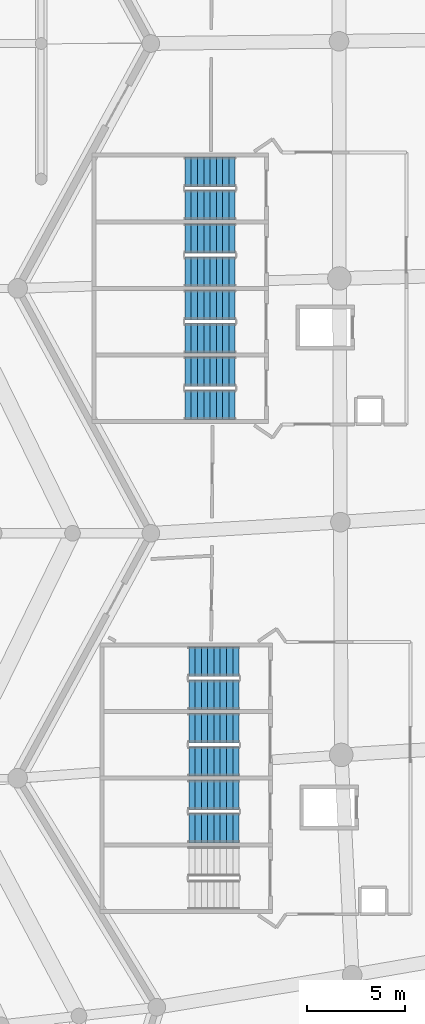
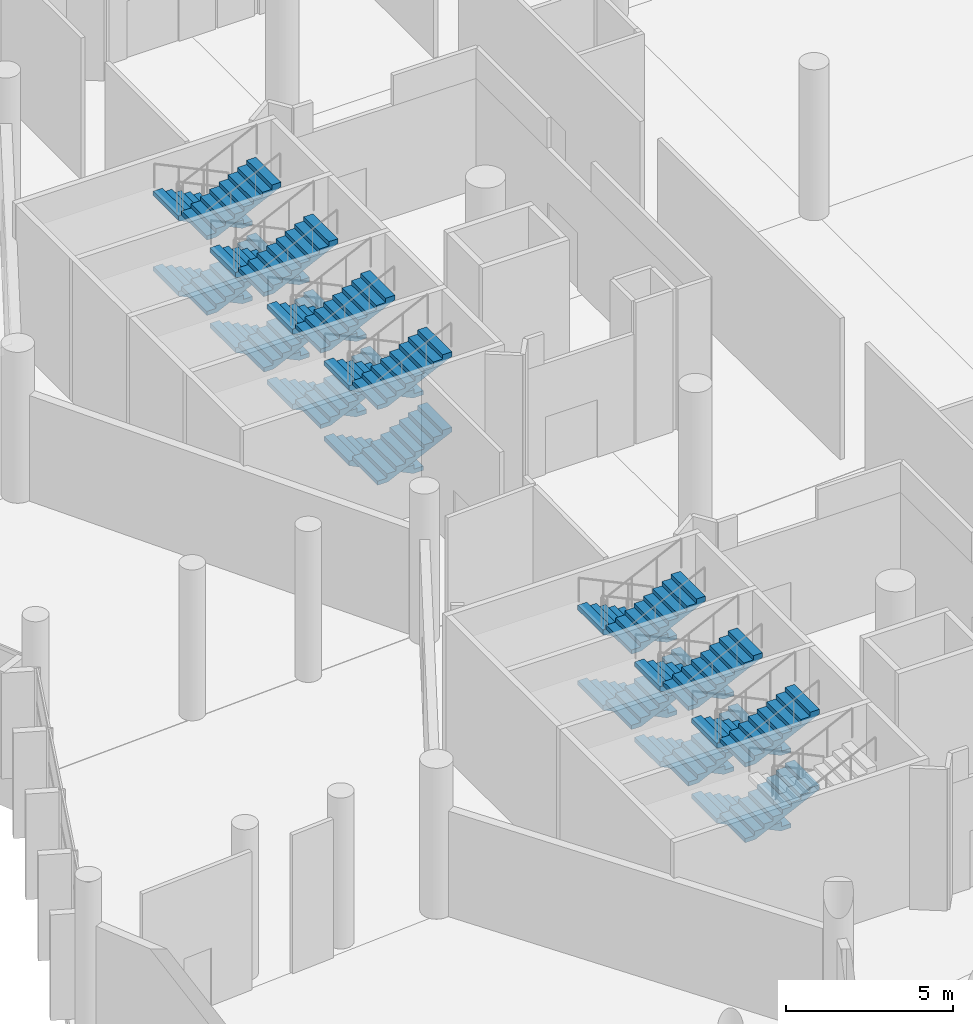
# One storey, part 208 of 271: 28 stair flights, 7 elements without a shape of their own.
"""IFC4 building model written with IfcOpenShell, lengths in metres."""

from ifc_helpers import new_model, si_unit, direction, frame, origin, place, context, subcontext, project, spatial, polyline, outline, extrude, material, type_object, element, aggregate, save


model = new_model("IFC4")

# Units and contexts
model_context = context("Model", 3, precision=1e-05, world=origin(), true_north=direction((0.0, 1.0)))
body_context = subcontext(model_context, "Body", "Model", "MODEL_VIEW")
ifc_project = project(units=[si_unit("LENGTHUNIT", "METRE"), si_unit("AREAUNIT", "SQUARE_METRE"), si_unit("VOLUMEUNIT", "CUBIC_METRE"), si_unit("PLANEANGLEUNIT", "RADIAN"), si_unit("MASSUNIT", "GRAM", prefix="KILO")], contexts=[model_context])

# Site, building, storey
site_placement = place(None, origin())
site = spatial("IfcSite", under=ifc_project, at=site_placement, CompositionType="ELEMENT")
building_placement = place(site_placement, origin())
building = spatial("IfcBuilding", under=site, at=building_placement, Name="Meseta Stadium", CompositionType="ELEMENT")
storey_placement = place(building_placement, frame((0.0, 0.0, 6.5)))
storey = spatial("IfcBuildingStorey", under=building, at=storey_placement, Name="L01", CompositionType="ELEMENT", Elevation=6.5)

# Stair, stair flights
ifc_material_1 = material(Name="Concrete C40/50", Category="concrete")
stair_type = type_object("IfcStairType", Name="Exit stair 4 flights 153 mm risers", PredefinedType="HALF_TURN_STAIR", material=ifc_material_1)
stair_1_placement = place(storey_placement, origin())
stair_1 = element("IfcStair", 1, at=stair_1_placement, inside=storey, type_object=stair_type, Name="ST69 L01", PredefinedType="HALF_TURN_STAIR")
ifc_material_2 = material(Name="Concrete C40/50", Category="concrete")
stair_flight_type = type_object("IfcStairFlightType", Name="Exit stair flight 153 mm risers, 4 per storey", PredefinedType="STRAIGHT", material=ifc_material_2)
stair_flight_1_placement = place(storey_placement, frame((-90.300048828125, -12.800048828125, 0.0), z_axis=(0.0, 0.0, 1.0), x_axis=(-1.0, 0.0, 0.0)))
stair_flight_1 = element("IfcStairFlight", 2, at=stair_flight_1_placement, type_object=stair_flight_type, Name="ST69 L01 flight 1", NumberOfRisers=9, NumberOfTreads=8, PredefinedType="STRAIGHT", RiserHeight=0.152777778, TreadLength=0.32, context=body_context, shape_type="SweptSolid", body=[
    extrude(outline(polyline([(0.0, 0.0), (0.0, 0.15283203125), (0.320068359375, 0.15283203125), (0.320068359375, 0.3056640625), (0.639892578125, 0.3056640625), (0.639892578125, 0.458251953125), (0.9599609375, 0.458251953125), (0.9599609375, 0.611083984375), (1.280029296875, 0.611083984375), (1.280029296875, 0.763916015625), (1.60009765625, 0.763916015625), (1.60009765625, 0.916748046875), (1.919921875, 0.916748046875), (1.919921875, 1.0693359375), (2.239990234375, 1.0693359375), (2.239990234375, 1.22216796875), (2.56005859375, 1.22216796875), (2.56005859375, 1.05615234375), (0.347900390625, 0.0), (0.0, 0.0)])), frame((0.0, 0.75, 0.0), z_axis=(0.0, -1.0, 0.0), x_axis=(1.0, 0.0, 0.0)), (0.0, 0.0, 1.0), 1.5),
])
stair_flight_2_placement = place(storey_placement, frame((-92.860107421875, -14.5, 1.375), z_axis=(0.0, 0.0, 1.0), x_axis=(1.0, 0.0, 0.0)))
stair_flight_2 = element("IfcStairFlight", 3, at=stair_flight_2_placement, type_object=stair_flight_type, Name="ST69 L01 flight 2", NumberOfRisers=9, NumberOfTreads=8, PredefinedType="STRAIGHT", RiserHeight=0.152777778, TreadLength=0.32, context=body_context, shape_type="SweptSolid", body=[
    extrude(outline(polyline([(0.0, 0.0), (0.0, 0.15283203125), (0.320068359375, 0.15283203125), (0.320068359375, 0.3056640625), (0.639892578125, 0.3056640625), (0.639892578125, 0.458251953125), (0.9599609375, 0.458251953125), (0.9599609375, 0.611083984375), (1.280029296875, 0.611083984375), (1.280029296875, 0.763916015625), (1.60009765625, 0.763916015625), (1.60009765625, 0.916748046875), (1.919921875, 0.916748046875), (1.919921875, 1.0693359375), (2.239990234375, 1.0693359375), (2.239990234375, 1.22216796875), (2.56005859375, 1.22216796875), (2.56005859375, 1.05615234375), (0.347900390625, 0.0), (0.0, 0.0)])), frame((0.0, 0.75, 0.0), z_axis=(0.0, -1.0, 0.0), x_axis=(1.0, 0.0, 0.0)), (0.0, 0.0, 1.0), 1.5),
])
stair_flight_3_placement = place(storey_placement, frame((-90.300048828125, -12.800048828125, 2.75), z_axis=(0.0, 0.0, 1.0), x_axis=(-1.0, 0.0, 0.0)))
stair_flight_3 = element("IfcStairFlight", 4, at=stair_flight_3_placement, type_object=stair_flight_type, Name="ST69 L01 flight 3", NumberOfRisers=9, NumberOfTreads=8, PredefinedType="STRAIGHT", RiserHeight=0.152777778, TreadLength=0.32, context=body_context, shape_type="SweptSolid", body=[
    extrude(outline(polyline([(0.0, 0.0), (0.0, 0.15283203125), (0.320068359375, 0.15283203125), (0.320068359375, 0.3056640625), (0.639892578125, 0.3056640625), (0.639892578125, 0.458251953125), (0.9599609375, 0.458251953125), (0.9599609375, 0.611083984375), (1.280029296875, 0.611083984375), (1.280029296875, 0.763916015625), (1.60009765625, 0.763916015625), (1.60009765625, 0.916748046875), (1.919921875, 0.916748046875), (1.919921875, 1.0693359375), (2.239990234375, 1.0693359375), (2.239990234375, 1.22216796875), (2.56005859375, 1.22216796875), (2.56005859375, 1.05615234375), (0.347900390625, 0.0), (0.0, 0.0)])), frame((0.0, 0.75, 0.0), z_axis=(0.0, -1.0, 0.0), x_axis=(1.0, 0.0, 0.0)), (0.0, 0.0, 1.0), 1.5),
])
stair_flight_4_placement = place(storey_placement, frame((-92.860107421875, -14.5, 4.125), z_axis=(0.0, 0.0, 1.0), x_axis=(1.0, 0.0, 0.0)))
stair_flight_4 = element("IfcStairFlight", 5, at=stair_flight_4_placement, type_object=stair_flight_type, Name="ST69 L01 flight 4", NumberOfRisers=9, NumberOfTreads=8, PredefinedType="STRAIGHT", RiserHeight=0.152777778, TreadLength=0.32, context=body_context, shape_type="SweptSolid", body=[
    extrude(outline(polyline([(0.0, 0.0), (0.0, 0.15283203125), (0.320068359375, 0.15283203125), (0.320068359375, 0.3056640625), (0.639892578125, 0.3056640625), (0.639892578125, 0.458251953125), (0.9599609375, 0.458251953125), (0.9599609375, 0.611083984375), (1.280029296875, 0.611083984375), (1.280029296875, 0.763916015625), (1.60009765625, 0.763916015625), (1.60009765625, 0.916748046875), (1.919921875, 0.916748046875), (1.919921875, 1.0693359375), (2.239990234375, 1.0693359375), (2.239990234375, 1.22216796875), (2.56005859375, 1.22216796875), (2.56005859375, 1.05615234375), (0.347900390625, 0.0), (0.0, 0.0)])), frame((0.0, 0.75, 0.0), z_axis=(0.0, -1.0, 0.0), x_axis=(1.0, 0.0, 0.0)), (0.0, 0.0, 1.0), 1.5),
])
aggregate(stair_1, [stair_flight_1, stair_flight_2, stair_flight_3, stair_flight_4])

stair_2_placement = place(storey_placement, origin())
stair_2 = element("IfcStair", 6, at=stair_2_placement, inside=storey, type_object=stair_type, Name="ST70 L01", PredefinedType="HALF_TURN_STAIR")
stair_flight_5_placement = place(storey_placement, frame((-90.300048828125, -16.199951171875, 0.0), z_axis=(0.0, 0.0, 1.0), x_axis=(-1.0, 0.0, 0.0)))
stair_flight_5 = element("IfcStairFlight", 7, at=stair_flight_5_placement, type_object=stair_flight_type, Name="ST70 L01 flight 1", NumberOfRisers=9, NumberOfTreads=8, PredefinedType="STRAIGHT", RiserHeight=0.152777778, TreadLength=0.32, context=body_context, shape_type="SweptSolid", body=[
    extrude(outline(polyline([(0.0, 0.0), (0.0, 0.15283203125), (0.320068359375, 0.15283203125), (0.320068359375, 0.3056640625), (0.639892578125, 0.3056640625), (0.639892578125, 0.458251953125), (0.9599609375, 0.458251953125), (0.9599609375, 0.611083984375), (1.280029296875, 0.611083984375), (1.280029296875, 0.763916015625), (1.60009765625, 0.763916015625), (1.60009765625, 0.916748046875), (1.919921875, 0.916748046875), (1.919921875, 1.0693359375), (2.239990234375, 1.0693359375), (2.239990234375, 1.22216796875), (2.56005859375, 1.22216796875), (2.56005859375, 1.05615234375), (0.347900390625, 0.0), (0.0, 0.0)])), frame((0.0, 0.75, 0.0), z_axis=(0.0, -1.0, 0.0), x_axis=(1.0, 0.0, 0.0)), (0.0, 0.0, 1.0), 1.5),
])
stair_flight_6_placement = place(storey_placement, frame((-92.860107421875, -17.89990234375, 1.375), z_axis=(0.0, 0.0, 1.0), x_axis=(1.0, 0.0, 0.0)))
stair_flight_6 = element("IfcStairFlight", 8, at=stair_flight_6_placement, type_object=stair_flight_type, Name="ST70 L01 flight 2", NumberOfRisers=9, NumberOfTreads=8, PredefinedType="STRAIGHT", RiserHeight=0.152777778, TreadLength=0.32, context=body_context, shape_type="SweptSolid", body=[
    extrude(outline(polyline([(0.0, 0.0), (0.0, 0.15283203125), (0.320068359375, 0.15283203125), (0.320068359375, 0.3056640625), (0.639892578125, 0.3056640625), (0.639892578125, 0.458251953125), (0.9599609375, 0.458251953125), (0.9599609375, 0.611083984375), (1.280029296875, 0.611083984375), (1.280029296875, 0.763916015625), (1.60009765625, 0.763916015625), (1.60009765625, 0.916748046875), (1.919921875, 0.916748046875), (1.919921875, 1.0693359375), (2.239990234375, 1.0693359375), (2.239990234375, 1.22216796875), (2.56005859375, 1.22216796875), (2.56005859375, 1.05615234375), (0.347900390625, 0.0), (0.0, 0.0)])), frame((0.0, 0.75, 0.0), z_axis=(0.0, -1.0, 0.0), x_axis=(1.0, 0.0, 0.0)), (0.0, 0.0, 1.0), 1.5),
])
stair_flight_7_placement = place(storey_placement, frame((-90.300048828125, -16.199951171875, 2.75), z_axis=(0.0, 0.0, 1.0), x_axis=(-1.0, 0.0, 0.0)))
stair_flight_7 = element("IfcStairFlight", 9, at=stair_flight_7_placement, type_object=stair_flight_type, Name="ST70 L01 flight 3", NumberOfRisers=9, NumberOfTreads=8, PredefinedType="STRAIGHT", RiserHeight=0.152777778, TreadLength=0.32, context=body_context, shape_type="SweptSolid", body=[
    extrude(outline(polyline([(0.0, 0.0), (0.0, 0.15283203125), (0.320068359375, 0.15283203125), (0.320068359375, 0.3056640625), (0.639892578125, 0.3056640625), (0.639892578125, 0.458251953125), (0.9599609375, 0.458251953125), (0.9599609375, 0.611083984375), (1.280029296875, 0.611083984375), (1.280029296875, 0.763916015625), (1.60009765625, 0.763916015625), (1.60009765625, 0.916748046875), (1.919921875, 0.916748046875), (1.919921875, 1.0693359375), (2.239990234375, 1.0693359375), (2.239990234375, 1.22216796875), (2.56005859375, 1.22216796875), (2.56005859375, 1.05615234375), (0.347900390625, 0.0), (0.0, 0.0)])), frame((0.0, 0.75, 0.0), z_axis=(0.0, -1.0, 0.0), x_axis=(1.0, 0.0, 0.0)), (0.0, 0.0, 1.0), 1.5),
])
stair_flight_8_placement = place(storey_placement, frame((-92.860107421875, -17.89990234375, 4.125), z_axis=(0.0, 0.0, 1.0), x_axis=(1.0, 0.0, 0.0)))
stair_flight_8 = element("IfcStairFlight", 10, at=stair_flight_8_placement, type_object=stair_flight_type, Name="ST70 L01 flight 4", NumberOfRisers=9, NumberOfTreads=8, PredefinedType="STRAIGHT", RiserHeight=0.152777778, TreadLength=0.32, context=body_context, shape_type="SweptSolid", body=[
    extrude(outline(polyline([(0.0, 0.0), (0.0, 0.15283203125), (0.320068359375, 0.15283203125), (0.320068359375, 0.3056640625), (0.639892578125, 0.3056640625), (0.639892578125, 0.458251953125), (0.9599609375, 0.458251953125), (0.9599609375, 0.611083984375), (1.280029296875, 0.611083984375), (1.280029296875, 0.763916015625), (1.60009765625, 0.763916015625), (1.60009765625, 0.916748046875), (1.919921875, 0.916748046875), (1.919921875, 1.0693359375), (2.239990234375, 1.0693359375), (2.239990234375, 1.22216796875), (2.56005859375, 1.22216796875), (2.56005859375, 1.05615234375), (0.347900390625, 0.0), (0.0, 0.0)])), frame((0.0, 0.75, 0.0), z_axis=(0.0, -1.0, 0.0), x_axis=(1.0, 0.0, 0.0)), (0.0, 0.0, 1.0), 1.5),
])
aggregate(stair_2, [stair_flight_5, stair_flight_6, stair_flight_7, stair_flight_8])

stair_3_placement = place(storey_placement, origin())
stair_3 = element("IfcStair", 11, at=stair_3_placement, inside=storey, type_object=stair_type, Name="ST71 L01", PredefinedType="HALF_TURN_STAIR")
stair_flight_9_placement = place(storey_placement, frame((-90.300048828125, -19.60009765625, 0.0), z_axis=(0.0, 0.0, 1.0), x_axis=(-1.0, 0.0, 0.0)))
stair_flight_9 = element("IfcStairFlight", 12, at=stair_flight_9_placement, type_object=stair_flight_type, Name="ST71 L01 flight 1", NumberOfRisers=9, NumberOfTreads=8, PredefinedType="STRAIGHT", RiserHeight=0.152777778, TreadLength=0.32, context=body_context, shape_type="SweptSolid", body=[
    extrude(outline(polyline([(0.0, 0.0), (0.0, 0.15283203125), (0.320068359375, 0.15283203125), (0.320068359375, 0.3056640625), (0.639892578125, 0.3056640625), (0.639892578125, 0.458251953125), (0.9599609375, 0.458251953125), (0.9599609375, 0.611083984375), (1.280029296875, 0.611083984375), (1.280029296875, 0.763916015625), (1.60009765625, 0.763916015625), (1.60009765625, 0.916748046875), (1.919921875, 0.916748046875), (1.919921875, 1.0693359375), (2.239990234375, 1.0693359375), (2.239990234375, 1.22216796875), (2.56005859375, 1.22216796875), (2.56005859375, 1.05615234375), (0.347900390625, 0.0), (0.0, 0.0)])), frame((0.0, 0.75, 0.0), z_axis=(0.0, -1.0, 0.0), x_axis=(1.0, 0.0, 0.0)), (0.0, 0.0, 1.0), 1.5),
])
stair_flight_10_placement = place(storey_placement, frame((-92.860107421875, -21.300048828125, 1.375), z_axis=(0.0, 0.0, 1.0), x_axis=(1.0, 0.0, 0.0)))
stair_flight_10 = element("IfcStairFlight", 13, at=stair_flight_10_placement, type_object=stair_flight_type, Name="ST71 L01 flight 2", NumberOfRisers=9, NumberOfTreads=8, PredefinedType="STRAIGHT", RiserHeight=0.152777778, TreadLength=0.32, context=body_context, shape_type="SweptSolid", body=[
    extrude(outline(polyline([(0.0, 0.0), (0.0, 0.15283203125), (0.320068359375, 0.15283203125), (0.320068359375, 0.3056640625), (0.639892578125, 0.3056640625), (0.639892578125, 0.458251953125), (0.9599609375, 0.458251953125), (0.9599609375, 0.611083984375), (1.280029296875, 0.611083984375), (1.280029296875, 0.763916015625), (1.60009765625, 0.763916015625), (1.60009765625, 0.916748046875), (1.919921875, 0.916748046875), (1.919921875, 1.0693359375), (2.239990234375, 1.0693359375), (2.239990234375, 1.22216796875), (2.56005859375, 1.22216796875), (2.56005859375, 1.05615234375), (0.347900390625, 0.0), (0.0, 0.0)])), frame((0.0, 0.75, 0.0), z_axis=(0.0, -1.0, 0.0), x_axis=(1.0, 0.0, 0.0)), (0.0, 0.0, 1.0), 1.5),
])
stair_flight_11_placement = place(storey_placement, frame((-90.300048828125, -19.60009765625, 2.75), z_axis=(0.0, 0.0, 1.0), x_axis=(-1.0, 0.0, 0.0)))
stair_flight_11 = element("IfcStairFlight", 14, at=stair_flight_11_placement, type_object=stair_flight_type, Name="ST71 L01 flight 3", NumberOfRisers=9, NumberOfTreads=8, PredefinedType="STRAIGHT", RiserHeight=0.152777778, TreadLength=0.32, context=body_context, shape_type="SweptSolid", body=[
    extrude(outline(polyline([(0.0, 0.0), (0.0, 0.15283203125), (0.320068359375, 0.15283203125), (0.320068359375, 0.3056640625), (0.639892578125, 0.3056640625), (0.639892578125, 0.458251953125), (0.9599609375, 0.458251953125), (0.9599609375, 0.611083984375), (1.280029296875, 0.611083984375), (1.280029296875, 0.763916015625), (1.60009765625, 0.763916015625), (1.60009765625, 0.916748046875), (1.919921875, 0.916748046875), (1.919921875, 1.0693359375), (2.239990234375, 1.0693359375), (2.239990234375, 1.22216796875), (2.56005859375, 1.22216796875), (2.56005859375, 1.05615234375), (0.347900390625, 0.0), (0.0, 0.0)])), frame((0.0, 0.75, 0.0), z_axis=(0.0, -1.0, 0.0), x_axis=(1.0, 0.0, 0.0)), (0.0, 0.0, 1.0), 1.5),
])
stair_flight_12_placement = place(storey_placement, frame((-92.860107421875, -21.300048828125, 4.125), z_axis=(0.0, 0.0, 1.0), x_axis=(1.0, 0.0, 0.0)))
stair_flight_12 = element("IfcStairFlight", 15, at=stair_flight_12_placement, type_object=stair_flight_type, Name="ST71 L01 flight 4", NumberOfRisers=9, NumberOfTreads=8, PredefinedType="STRAIGHT", RiserHeight=0.152777778, TreadLength=0.32, context=body_context, shape_type="SweptSolid", body=[
    extrude(outline(polyline([(0.0, 0.0), (0.0, 0.15283203125), (0.320068359375, 0.15283203125), (0.320068359375, 0.3056640625), (0.639892578125, 0.3056640625), (0.639892578125, 0.458251953125), (0.9599609375, 0.458251953125), (0.9599609375, 0.611083984375), (1.280029296875, 0.611083984375), (1.280029296875, 0.763916015625), (1.60009765625, 0.763916015625), (1.60009765625, 0.916748046875), (1.919921875, 0.916748046875), (1.919921875, 1.0693359375), (2.239990234375, 1.0693359375), (2.239990234375, 1.22216796875), (2.56005859375, 1.22216796875), (2.56005859375, 1.05615234375), (0.347900390625, 0.0), (0.0, 0.0)])), frame((0.0, 0.75, 0.0), z_axis=(0.0, -1.0, 0.0), x_axis=(1.0, 0.0, 0.0)), (0.0, 0.0, 1.0), 1.5),
])
aggregate(stair_3, [stair_flight_9, stair_flight_10, stair_flight_11, stair_flight_12])

stair_4_placement = place(storey_placement, origin())
stair_4 = element("IfcStair", 16, at=stair_4_placement, inside=storey, type_object=stair_type, Name="ST72 L01", PredefinedType="HALF_TURN_STAIR")
stair_flight_13_placement = place(storey_placement, frame((-90.300048828125, -23.0, 0.0), z_axis=(0.0, 0.0, 1.0), x_axis=(-1.0, 0.0, 0.0)))
stair_flight_13 = element("IfcStairFlight", 17, at=stair_flight_13_placement, type_object=stair_flight_type, Name="ST72 L01 flight 1", NumberOfRisers=9, NumberOfTreads=8, PredefinedType="STRAIGHT", RiserHeight=0.152777778, TreadLength=0.32, context=body_context, shape_type="SweptSolid", body=[
    extrude(outline(polyline([(0.0, 0.0), (0.0, 0.15283203125), (0.320068359375, 0.15283203125), (0.320068359375, 0.3056640625), (0.639892578125, 0.3056640625), (0.639892578125, 0.458251953125), (0.9599609375, 0.458251953125), (0.9599609375, 0.611083984375), (1.280029296875, 0.611083984375), (1.280029296875, 0.763916015625), (1.60009765625, 0.763916015625), (1.60009765625, 0.916748046875), (1.919921875, 0.916748046875), (1.919921875, 1.0693359375), (2.239990234375, 1.0693359375), (2.239990234375, 1.22216796875), (2.56005859375, 1.22216796875), (2.56005859375, 1.05615234375), (0.347900390625, 0.0), (0.0, 0.0)])), frame((0.0, 0.75, 0.0), z_axis=(0.0, -1.0, 0.0), x_axis=(1.0, 0.0, 0.0)), (0.0, 0.0, 1.0), 1.5),
])
stair_flight_14_placement = place(storey_placement, frame((-92.860107421875, -24.699951171875, 1.375), z_axis=(0.0, 0.0, 1.0), x_axis=(1.0, 0.0, 0.0)))
stair_flight_14 = element("IfcStairFlight", 18, at=stair_flight_14_placement, type_object=stair_flight_type, Name="ST72 L01 flight 2", NumberOfRisers=9, NumberOfTreads=8, PredefinedType="STRAIGHT", RiserHeight=0.152777778, TreadLength=0.32, context=body_context, shape_type="SweptSolid", body=[
    extrude(outline(polyline([(0.0, 0.0), (0.0, 0.15283203125), (0.320068359375, 0.15283203125), (0.320068359375, 0.3056640625), (0.639892578125, 0.3056640625), (0.639892578125, 0.458251953125), (0.9599609375, 0.458251953125), (0.9599609375, 0.611083984375), (1.280029296875, 0.611083984375), (1.280029296875, 0.763916015625), (1.60009765625, 0.763916015625), (1.60009765625, 0.916748046875), (1.919921875, 0.916748046875), (1.919921875, 1.0693359375), (2.239990234375, 1.0693359375), (2.239990234375, 1.22216796875), (2.56005859375, 1.22216796875), (2.56005859375, 1.05615234375), (0.347900390625, 0.0), (0.0, 0.0)])), frame((0.0, 0.75, 0.0), z_axis=(0.0, -1.0, 0.0), x_axis=(1.0, 0.0, 0.0)), (0.0, 0.0, 1.0), 1.5),
])
stair_flight_15_placement = place(storey_placement, frame((-90.300048828125, -23.0, 2.75), z_axis=(0.0, 0.0, 1.0), x_axis=(-1.0, 0.0, 0.0)))
stair_flight_15 = element("IfcStairFlight", 19, at=stair_flight_15_placement, type_object=stair_flight_type, Name="ST72 L01 flight 3", NumberOfRisers=9, NumberOfTreads=8, PredefinedType="STRAIGHT", RiserHeight=0.152777778, TreadLength=0.32, context=body_context, shape_type="SweptSolid", body=[
    extrude(outline(polyline([(0.0, 0.0), (0.0, 0.15283203125), (0.320068359375, 0.15283203125), (0.320068359375, 0.3056640625), (0.639892578125, 0.3056640625), (0.639892578125, 0.458251953125), (0.9599609375, 0.458251953125), (0.9599609375, 0.611083984375), (1.280029296875, 0.611083984375), (1.280029296875, 0.763916015625), (1.60009765625, 0.763916015625), (1.60009765625, 0.916748046875), (1.919921875, 0.916748046875), (1.919921875, 1.0693359375), (2.239990234375, 1.0693359375), (2.239990234375, 1.22216796875), (2.56005859375, 1.22216796875), (2.56005859375, 1.05615234375), (0.347900390625, 0.0), (0.0, 0.0)])), frame((0.0, 0.75, 0.0), z_axis=(0.0, -1.0, 0.0), x_axis=(1.0, 0.0, 0.0)), (0.0, 0.0, 1.0), 1.5),
])
stair_flight_16_placement = place(storey_placement, frame((-92.860107421875, -24.699951171875, 4.125), z_axis=(0.0, 0.0, 1.0), x_axis=(1.0, 0.0, 0.0)))
stair_flight_16 = element("IfcStairFlight", 20, at=stair_flight_16_placement, type_object=stair_flight_type, Name="ST72 L01 flight 4", NumberOfRisers=9, NumberOfTreads=8, PredefinedType="STRAIGHT", RiserHeight=0.152777778, TreadLength=0.32, context=body_context, shape_type="SweptSolid", body=[
    extrude(outline(polyline([(0.0, 0.0), (0.0, 0.15283203125), (0.320068359375, 0.15283203125), (0.320068359375, 0.3056640625), (0.639892578125, 0.3056640625), (0.639892578125, 0.458251953125), (0.9599609375, 0.458251953125), (0.9599609375, 0.611083984375), (1.280029296875, 0.611083984375), (1.280029296875, 0.763916015625), (1.60009765625, 0.763916015625), (1.60009765625, 0.916748046875), (1.919921875, 0.916748046875), (1.919921875, 1.0693359375), (2.239990234375, 1.0693359375), (2.239990234375, 1.22216796875), (2.56005859375, 1.22216796875), (2.56005859375, 1.05615234375), (0.347900390625, 0.0), (0.0, 0.0)])), frame((0.0, 0.75, 0.0), z_axis=(0.0, -1.0, 0.0), x_axis=(1.0, 0.0, 0.0)), (0.0, 0.0, 1.0), 1.5),
])
aggregate(stair_4, [stair_flight_13, stair_flight_14, stair_flight_15, stair_flight_16])

stair_5_placement = place(storey_placement, origin())
stair_5 = element("IfcStair", 21, at=stair_5_placement, inside=storey, type_object=stair_type, Name="ST73 L01", PredefinedType="HALF_TURN_STAIR")
stair_flight_17_placement = place(storey_placement, frame((-90.10009765625, -37.800048828125, 0.0), z_axis=(0.0, 0.0, 1.0), x_axis=(-1.0, 0.0, 0.0)))
stair_flight_17 = element("IfcStairFlight", 22, at=stair_flight_17_placement, type_object=stair_flight_type, Name="ST73 L01 flight 1", NumberOfRisers=9, NumberOfTreads=8, PredefinedType="STRAIGHT", RiserHeight=0.152777778, TreadLength=0.32, context=body_context, shape_type="SweptSolid", body=[
    extrude(outline(polyline([(0.0, 0.0), (0.0, 0.15283203125), (0.320068359375, 0.15283203125), (0.320068359375, 0.3056640625), (0.639892578125, 0.3056640625), (0.639892578125, 0.458251953125), (0.9599609375, 0.458251953125), (0.9599609375, 0.611083984375), (1.280029296875, 0.611083984375), (1.280029296875, 0.763916015625), (1.60009765625, 0.763916015625), (1.60009765625, 0.916748046875), (1.919921875, 0.916748046875), (1.919921875, 1.0693359375), (2.239990234375, 1.0693359375), (2.239990234375, 1.22216796875), (2.56005859375, 1.22216796875), (2.56005859375, 1.05615234375), (0.347900390625, 0.0), (0.0, 0.0)])), frame((0.0, 0.75, 0.0), z_axis=(0.0, -1.0, 0.0), x_axis=(1.0, 0.0, 0.0)), (0.0, 0.0, 1.0), 1.5),
])
stair_flight_18_placement = place(storey_placement, frame((-92.659912109375, -39.5, 1.375), z_axis=(0.0, 0.0, 1.0), x_axis=(1.0, 0.0, 0.0)))
stair_flight_18 = element("IfcStairFlight", 23, at=stair_flight_18_placement, type_object=stair_flight_type, Name="ST73 L01 flight 2", NumberOfRisers=9, NumberOfTreads=8, PredefinedType="STRAIGHT", RiserHeight=0.152777778, TreadLength=0.32, context=body_context, shape_type="SweptSolid", body=[
    extrude(outline(polyline([(0.0, 0.0), (0.0, 0.15283203125), (0.320068359375, 0.15283203125), (0.320068359375, 0.3056640625), (0.639892578125, 0.3056640625), (0.639892578125, 0.458251953125), (0.9599609375, 0.458251953125), (0.9599609375, 0.611083984375), (1.280029296875, 0.611083984375), (1.280029296875, 0.763916015625), (1.60009765625, 0.763916015625), (1.60009765625, 0.916748046875), (1.919921875, 0.916748046875), (1.919921875, 1.0693359375), (2.239990234375, 1.0693359375), (2.239990234375, 1.22216796875), (2.56005859375, 1.22216796875), (2.56005859375, 1.05615234375), (0.347900390625, 0.0), (0.0, 0.0)])), frame((0.0, 0.75, 0.0), z_axis=(0.0, -1.0, 0.0), x_axis=(1.0, 0.0, 0.0)), (0.0, 0.0, 1.0), 1.5),
])
stair_flight_19_placement = place(storey_placement, frame((-90.10009765625, -37.800048828125, 2.75), z_axis=(0.0, 0.0, 1.0), x_axis=(-1.0, 0.0, 0.0)))
stair_flight_19 = element("IfcStairFlight", 24, at=stair_flight_19_placement, type_object=stair_flight_type, Name="ST73 L01 flight 3", NumberOfRisers=9, NumberOfTreads=8, PredefinedType="STRAIGHT", RiserHeight=0.152777778, TreadLength=0.32, context=body_context, shape_type="SweptSolid", body=[
    extrude(outline(polyline([(0.0, 0.0), (0.0, 0.15283203125), (0.320068359375, 0.15283203125), (0.320068359375, 0.3056640625), (0.639892578125, 0.3056640625), (0.639892578125, 0.458251953125), (0.9599609375, 0.458251953125), (0.9599609375, 0.611083984375), (1.280029296875, 0.611083984375), (1.280029296875, 0.763916015625), (1.60009765625, 0.763916015625), (1.60009765625, 0.916748046875), (1.919921875, 0.916748046875), (1.919921875, 1.0693359375), (2.239990234375, 1.0693359375), (2.239990234375, 1.22216796875), (2.56005859375, 1.22216796875), (2.56005859375, 1.05615234375), (0.347900390625, 0.0), (0.0, 0.0)])), frame((0.0, 0.75, 0.0), z_axis=(0.0, -1.0, 0.0), x_axis=(1.0, 0.0, 0.0)), (0.0, 0.0, 1.0), 1.5),
])
stair_flight_20_placement = place(storey_placement, frame((-92.659912109375, -39.5, 4.125), z_axis=(0.0, 0.0, 1.0), x_axis=(1.0, 0.0, 0.0)))
stair_flight_20 = element("IfcStairFlight", 25, at=stair_flight_20_placement, type_object=stair_flight_type, Name="ST73 L01 flight 4", NumberOfRisers=9, NumberOfTreads=8, PredefinedType="STRAIGHT", RiserHeight=0.152777778, TreadLength=0.32, context=body_context, shape_type="SweptSolid", body=[
    extrude(outline(polyline([(0.0, 0.0), (0.0, 0.15283203125), (0.320068359375, 0.15283203125), (0.320068359375, 0.3056640625), (0.639892578125, 0.3056640625), (0.639892578125, 0.458251953125), (0.9599609375, 0.458251953125), (0.9599609375, 0.611083984375), (1.280029296875, 0.611083984375), (1.280029296875, 0.763916015625), (1.60009765625, 0.763916015625), (1.60009765625, 0.916748046875), (1.919921875, 0.916748046875), (1.919921875, 1.0693359375), (2.239990234375, 1.0693359375), (2.239990234375, 1.22216796875), (2.56005859375, 1.22216796875), (2.56005859375, 1.05615234375), (0.347900390625, 0.0), (0.0, 0.0)])), frame((0.0, 0.75, 0.0), z_axis=(0.0, -1.0, 0.0), x_axis=(1.0, 0.0, 0.0)), (0.0, 0.0, 1.0), 1.5),
])
aggregate(stair_5, [stair_flight_17, stair_flight_18, stair_flight_19, stair_flight_20])

stair_6_placement = place(storey_placement, origin())
stair_6 = element("IfcStair", 26, at=stair_6_placement, inside=storey, type_object=stair_type, Name="ST74 L01", PredefinedType="HALF_TURN_STAIR")
stair_flight_21_placement = place(storey_placement, frame((-90.10009765625, -41.199951171875, 0.0), z_axis=(0.0, 0.0, 1.0), x_axis=(-1.0, 0.0, 0.0)))
stair_flight_21 = element("IfcStairFlight", 27, at=stair_flight_21_placement, type_object=stair_flight_type, Name="ST74 L01 flight 1", NumberOfRisers=9, NumberOfTreads=8, PredefinedType="STRAIGHT", RiserHeight=0.152777778, TreadLength=0.32, context=body_context, shape_type="SweptSolid", body=[
    extrude(outline(polyline([(0.0, 0.0), (0.0, 0.15283203125), (0.320068359375, 0.15283203125), (0.320068359375, 0.3056640625), (0.639892578125, 0.3056640625), (0.639892578125, 0.458251953125), (0.9599609375, 0.458251953125), (0.9599609375, 0.611083984375), (1.280029296875, 0.611083984375), (1.280029296875, 0.763916015625), (1.60009765625, 0.763916015625), (1.60009765625, 0.916748046875), (1.919921875, 0.916748046875), (1.919921875, 1.0693359375), (2.239990234375, 1.0693359375), (2.239990234375, 1.22216796875), (2.56005859375, 1.22216796875), (2.56005859375, 1.05615234375), (0.347900390625, 0.0), (0.0, 0.0)])), frame((0.0, 0.75, 0.0), z_axis=(0.0, -1.0, 0.0), x_axis=(1.0, 0.0, 0.0)), (0.0, 0.0, 1.0), 1.5),
])
stair_flight_22_placement = place(storey_placement, frame((-92.659912109375, -42.89990234375, 1.375), z_axis=(0.0, 0.0, 1.0), x_axis=(1.0, 0.0, 0.0)))
stair_flight_22 = element("IfcStairFlight", 28, at=stair_flight_22_placement, type_object=stair_flight_type, Name="ST74 L01 flight 2", NumberOfRisers=9, NumberOfTreads=8, PredefinedType="STRAIGHT", RiserHeight=0.152777778, TreadLength=0.32, context=body_context, shape_type="SweptSolid", body=[
    extrude(outline(polyline([(0.0, 0.0), (0.0, 0.15283203125), (0.320068359375, 0.15283203125), (0.320068359375, 0.3056640625), (0.639892578125, 0.3056640625), (0.639892578125, 0.458251953125), (0.9599609375, 0.458251953125), (0.9599609375, 0.611083984375), (1.280029296875, 0.611083984375), (1.280029296875, 0.763916015625), (1.60009765625, 0.763916015625), (1.60009765625, 0.916748046875), (1.919921875, 0.916748046875), (1.919921875, 1.0693359375), (2.239990234375, 1.0693359375), (2.239990234375, 1.22216796875), (2.56005859375, 1.22216796875), (2.56005859375, 1.05615234375), (0.347900390625, 0.0), (0.0, 0.0)])), frame((0.0, 0.75, 0.0), z_axis=(0.0, -1.0, 0.0), x_axis=(1.0, 0.0, 0.0)), (0.0, 0.0, 1.0), 1.5),
])
stair_flight_23_placement = place(storey_placement, frame((-90.10009765625, -41.199951171875, 2.75), z_axis=(0.0, 0.0, 1.0), x_axis=(-1.0, 0.0, 0.0)))
stair_flight_23 = element("IfcStairFlight", 29, at=stair_flight_23_placement, type_object=stair_flight_type, Name="ST74 L01 flight 3", NumberOfRisers=9, NumberOfTreads=8, PredefinedType="STRAIGHT", RiserHeight=0.152777778, TreadLength=0.32, context=body_context, shape_type="SweptSolid", body=[
    extrude(outline(polyline([(0.0, 0.0), (0.0, 0.15283203125), (0.320068359375, 0.15283203125), (0.320068359375, 0.3056640625), (0.639892578125, 0.3056640625), (0.639892578125, 0.458251953125), (0.9599609375, 0.458251953125), (0.9599609375, 0.611083984375), (1.280029296875, 0.611083984375), (1.280029296875, 0.763916015625), (1.60009765625, 0.763916015625), (1.60009765625, 0.916748046875), (1.919921875, 0.916748046875), (1.919921875, 1.0693359375), (2.239990234375, 1.0693359375), (2.239990234375, 1.22216796875), (2.56005859375, 1.22216796875), (2.56005859375, 1.05615234375), (0.347900390625, 0.0), (0.0, 0.0)])), frame((0.0, 0.75, 0.0), z_axis=(0.0, -1.0, 0.0), x_axis=(1.0, 0.0, 0.0)), (0.0, 0.0, 1.0), 1.5),
])
stair_flight_24_placement = place(storey_placement, frame((-92.659912109375, -42.89990234375, 4.125), z_axis=(0.0, 0.0, 1.0), x_axis=(1.0, 0.0, 0.0)))
stair_flight_24 = element("IfcStairFlight", 30, at=stair_flight_24_placement, type_object=stair_flight_type, Name="ST74 L01 flight 4", NumberOfRisers=9, NumberOfTreads=8, PredefinedType="STRAIGHT", RiserHeight=0.152777778, TreadLength=0.32, context=body_context, shape_type="SweptSolid", body=[
    extrude(outline(polyline([(0.0, 0.0), (0.0, 0.15283203125), (0.320068359375, 0.15283203125), (0.320068359375, 0.3056640625), (0.639892578125, 0.3056640625), (0.639892578125, 0.458251953125), (0.9599609375, 0.458251953125), (0.9599609375, 0.611083984375), (1.280029296875, 0.611083984375), (1.280029296875, 0.763916015625), (1.60009765625, 0.763916015625), (1.60009765625, 0.916748046875), (1.919921875, 0.916748046875), (1.919921875, 1.0693359375), (2.239990234375, 1.0693359375), (2.239990234375, 1.22216796875), (2.56005859375, 1.22216796875), (2.56005859375, 1.05615234375), (0.347900390625, 0.0), (0.0, 0.0)])), frame((0.0, 0.75, 0.0), z_axis=(0.0, -1.0, 0.0), x_axis=(1.0, 0.0, 0.0)), (0.0, 0.0, 1.0), 1.5),
])
aggregate(stair_6, [stair_flight_21, stair_flight_22, stair_flight_23, stair_flight_24])

stair_7_placement = place(storey_placement, origin())
stair_7 = element("IfcStair", 31, at=stair_7_placement, inside=storey, type_object=stair_type, Name="ST75 L01", PredefinedType="HALF_TURN_STAIR")
stair_flight_25_placement = place(storey_placement, frame((-90.10009765625, -44.60009765625, 0.0), z_axis=(0.0, 0.0, 1.0), x_axis=(-1.0, 0.0, 0.0)))
stair_flight_25 = element("IfcStairFlight", 32, at=stair_flight_25_placement, type_object=stair_flight_type, Name="ST75 L01 flight 1", NumberOfRisers=9, NumberOfTreads=8, PredefinedType="STRAIGHT", RiserHeight=0.152777778, TreadLength=0.32, context=body_context, shape_type="SweptSolid", body=[
    extrude(outline(polyline([(0.0, 0.0), (0.0, 0.15283203125), (0.320068359375, 0.15283203125), (0.320068359375, 0.3056640625), (0.639892578125, 0.3056640625), (0.639892578125, 0.458251953125), (0.9599609375, 0.458251953125), (0.9599609375, 0.611083984375), (1.280029296875, 0.611083984375), (1.280029296875, 0.763916015625), (1.60009765625, 0.763916015625), (1.60009765625, 0.916748046875), (1.919921875, 0.916748046875), (1.919921875, 1.0693359375), (2.239990234375, 1.0693359375), (2.239990234375, 1.22216796875), (2.56005859375, 1.22216796875), (2.56005859375, 1.05615234375), (0.347900390625, 0.0), (0.0, 0.0)])), frame((0.0, 0.75, 0.0), z_axis=(0.0, -1.0, 0.0), x_axis=(1.0, 0.0, 0.0)), (0.0, 0.0, 1.0), 1.5),
])
stair_flight_26_placement = place(storey_placement, frame((-92.659912109375, -46.300048828125, 1.375), z_axis=(0.0, 0.0, 1.0), x_axis=(1.0, 0.0, 0.0)))
stair_flight_26 = element("IfcStairFlight", 33, at=stair_flight_26_placement, type_object=stair_flight_type, Name="ST75 L01 flight 2", NumberOfRisers=9, NumberOfTreads=8, PredefinedType="STRAIGHT", RiserHeight=0.152777778, TreadLength=0.32, context=body_context, shape_type="SweptSolid", body=[
    extrude(outline(polyline([(0.0, 0.0), (0.0, 0.15283203125), (0.320068359375, 0.15283203125), (0.320068359375, 0.3056640625), (0.639892578125, 0.3056640625), (0.639892578125, 0.458251953125), (0.9599609375, 0.458251953125), (0.9599609375, 0.611083984375), (1.280029296875, 0.611083984375), (1.280029296875, 0.763916015625), (1.60009765625, 0.763916015625), (1.60009765625, 0.916748046875), (1.919921875, 0.916748046875), (1.919921875, 1.0693359375), (2.239990234375, 1.0693359375), (2.239990234375, 1.22216796875), (2.56005859375, 1.22216796875), (2.56005859375, 1.05615234375), (0.347900390625, 0.0), (0.0, 0.0)])), frame((0.0, 0.75, 0.0), z_axis=(0.0, -1.0, 0.0), x_axis=(1.0, 0.0, 0.0)), (0.0, 0.0, 1.0), 1.5),
])
stair_flight_27_placement = place(storey_placement, frame((-90.10009765625, -44.60009765625, 2.75), z_axis=(0.0, 0.0, 1.0), x_axis=(-1.0, 0.0, 0.0)))
stair_flight_27 = element("IfcStairFlight", 34, at=stair_flight_27_placement, type_object=stair_flight_type, Name="ST75 L01 flight 3", NumberOfRisers=9, NumberOfTreads=8, PredefinedType="STRAIGHT", RiserHeight=0.152777778, TreadLength=0.32, context=body_context, shape_type="SweptSolid", body=[
    extrude(outline(polyline([(0.0, 0.0), (0.0, 0.15283203125), (0.320068359375, 0.15283203125), (0.320068359375, 0.3056640625), (0.639892578125, 0.3056640625), (0.639892578125, 0.458251953125), (0.9599609375, 0.458251953125), (0.9599609375, 0.611083984375), (1.280029296875, 0.611083984375), (1.280029296875, 0.763916015625), (1.60009765625, 0.763916015625), (1.60009765625, 0.916748046875), (1.919921875, 0.916748046875), (1.919921875, 1.0693359375), (2.239990234375, 1.0693359375), (2.239990234375, 1.22216796875), (2.56005859375, 1.22216796875), (2.56005859375, 1.05615234375), (0.347900390625, 0.0), (0.0, 0.0)])), frame((0.0, 0.75, 0.0), z_axis=(0.0, -1.0, 0.0), x_axis=(1.0, 0.0, 0.0)), (0.0, 0.0, 1.0), 1.5),
])
stair_flight_28_placement = place(storey_placement, frame((-92.659912109375, -46.300048828125, 4.125), z_axis=(0.0, 0.0, 1.0), x_axis=(1.0, 0.0, 0.0)))
stair_flight_28 = element("IfcStairFlight", 35, at=stair_flight_28_placement, type_object=stair_flight_type, Name="ST75 L01 flight 4", NumberOfRisers=9, NumberOfTreads=8, PredefinedType="STRAIGHT", RiserHeight=0.152777778, TreadLength=0.32, context=body_context, shape_type="SweptSolid", body=[
    extrude(outline(polyline([(0.0, 0.0), (0.0, 0.15283203125), (0.320068359375, 0.15283203125), (0.320068359375, 0.3056640625), (0.639892578125, 0.3056640625), (0.639892578125, 0.458251953125), (0.9599609375, 0.458251953125), (0.9599609375, 0.611083984375), (1.280029296875, 0.611083984375), (1.280029296875, 0.763916015625), (1.60009765625, 0.763916015625), (1.60009765625, 0.916748046875), (1.919921875, 0.916748046875), (1.919921875, 1.0693359375), (2.239990234375, 1.0693359375), (2.239990234375, 1.22216796875), (2.56005859375, 1.22216796875), (2.56005859375, 1.05615234375), (0.347900390625, 0.0), (0.0, 0.0)])), frame((0.0, 0.75, 0.0), z_axis=(0.0, -1.0, 0.0), x_axis=(1.0, 0.0, 0.0)), (0.0, 0.0, 1.0), 1.5),
])
aggregate(stair_7, [stair_flight_25, stair_flight_26, stair_flight_27, stair_flight_28])

save(model, "model.ifc")
